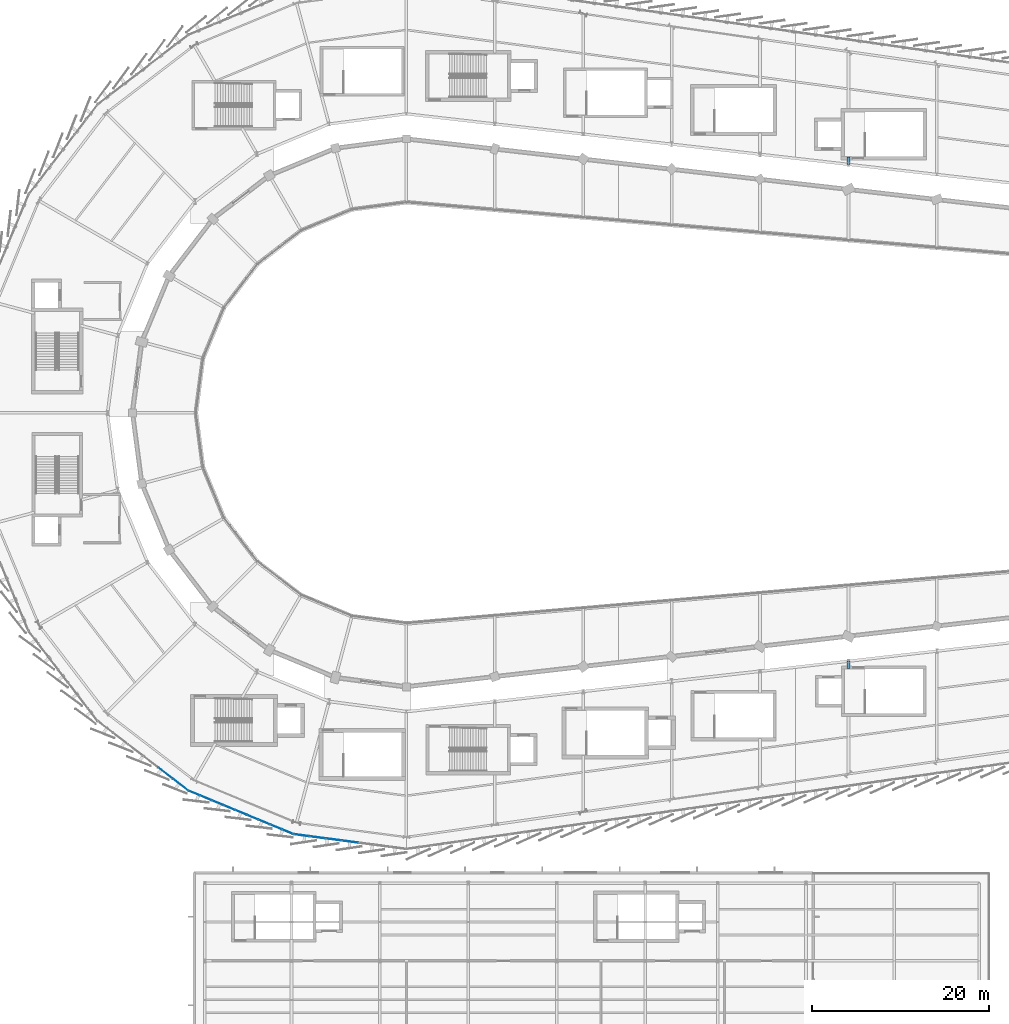
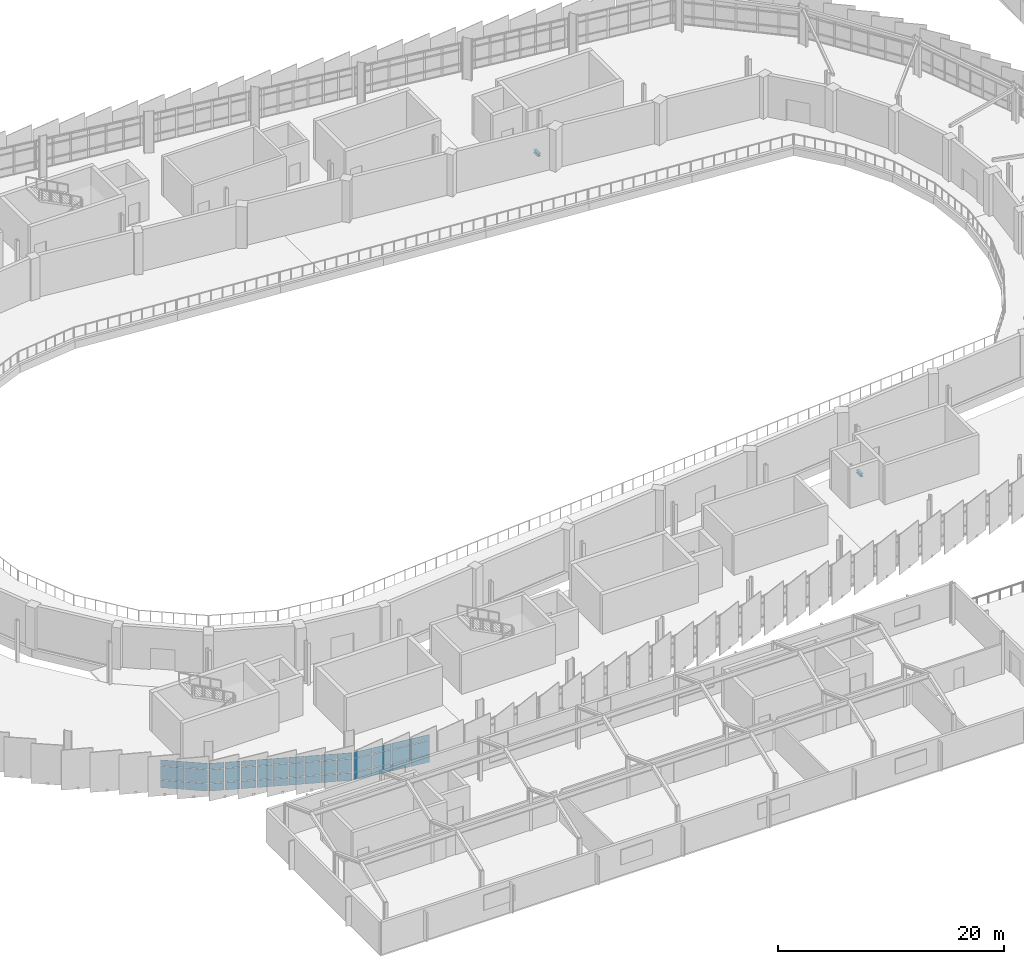
# One storey, part 58 of 87: 45 plates, 2 beams, 3 elements without a shape of their own.
"""IFC4 building model written with IfcOpenShell, lengths in metres."""

from ifc_helpers import new_model, si_unit, direction, frame, origin, origin_2d, place, context, subcontext, project, spatial, rectangle, i_section, extrude, material, layer, layer_set, material_profile, profile_set, type_object, element, aggregate, save


model = new_model("IFC4")

# Units and contexts
model_context = context("Model", 3, precision=1e-05, world=origin(), true_north=direction((0.0, 1.0)))
body_context = subcontext(model_context, "Body", "Model", "MODEL_VIEW")
ifc_project = project(units=[si_unit("LENGTHUNIT", "METRE"), si_unit("AREAUNIT", "SQUARE_METRE"), si_unit("VOLUMEUNIT", "CUBIC_METRE"), si_unit("PLANEANGLEUNIT", "RADIAN"), si_unit("MASSUNIT", "GRAM", prefix="KILO")], contexts=[model_context])

# Site, building, storey
site_placement = place(None, origin())
site = spatial("IfcSite", under=ifc_project, at=site_placement, CompositionType="ELEMENT")
building_placement = place(site_placement, origin())
building = spatial("IfcBuilding", under=site, at=building_placement, Name="Sohan Crest Arena", CompositionType="ELEMENT")
storey_placement = place(building_placement, frame((0.0, 0.0, 18.0)))
storey = spatial("IfcBuildingStorey", under=building, at=storey_placement, Name="L04", CompositionType="ELEMENT", Elevation=18.0)

# Beams
ifc_material_1 = material(Name="Steel S355", Category="steel")
ifc_material_profile = material_profile(ifc_material_1, i_section(OverallWidth=0.300048828125, OverallDepth=0.300048828125, WebThickness=0.010986328125, FlangeThickness=0.01904296875, at=origin_2d()), Name="HEB 300")
ifc_profile_set = profile_set([ifc_material_profile], Name="Steel S355")
beam_type = type_object("IfcBeamType", Name="STR-BM-B12", PredefinedType="BEAM", material=ifc_profile_set)
for number, where, z_axis, x_axis, name in (
    (1, (148.0, 49.9140625, -0.39990234375), (0.0, -1.0, 0.0), (1.0, 0.0, 0.0), "Structural beam G-L04-1624"),
    (2, (148.0, 106.0859375, -0.39990234375), (0.0, 1.0, 0.0), (-1.0, 0.0, 0.0), "Structural beam G-L04-1683"),
):
    element("IfcBeam", number, at=place(storey_placement, frame(where, z_axis=z_axis, x_axis=x_axis)), inside=storey, type_object=beam_type, Name=name, PredefinedType="BEAM", context=body_context, shape_type="SweptSolid", body=[
        extrude(i_section(OverallWidth=0.300048828125, OverallDepth=0.300048828125, WebThickness=0.010986328125, FlangeThickness=0.01904296875, at=origin_2d()), origin(), (0.0, 0.0, 1.0), 0.833984375),
    ])

# Curtain wall, plates
ifc_material_2 = material(Name="Thermally broken anodised aluminium", Category="aluminium")
ifc_layer_1 = layer(ifc_material_2, 0.239990234375, Name="Thermally broken anodised aluminium")
ifc_layer_set_1 = layer_set([ifc_layer_1], Name="Thermally broken anodised aluminium")
curtain_wall_type_1 = type_object("IfcCurtainWallType", Name="ARC-CW04", PredefinedType="NOTDEFINED", material=ifc_layer_set_1)
curtain_wall_1_placement = place(storey_placement, origin())
curtain_wall_1 = element("IfcCurtainWall", 3, at=curtain_wall_1_placement, inside=storey, type_object=curtain_wall_type_1, Name="Unitised curtain wall CW-121", PredefinedType="NOTDEFINED")
ifc_material_3 = material(Name="Low-E double-glazed insulated glass", Category="glass")
ifc_layer_2 = layer(ifc_material_3, 0.031982421875, Name="Low-E double-glazed insulated glass")
ifc_layer_set_2 = layer_set([ifc_layer_2], Name="Low-E double-glazed insulated glass")
plate_type_1 = type_object("IfcPlateType", Name="ARC-CNP02", PredefinedType="CURTAIN_PANEL", material=ifc_layer_set_2)
plate_1_placement = place(storey_placement, frame((70.769775390625, 37.222412109375, 0.06005859375), z_axis=(0.0, 0.0, 1.0), x_axis=(0.793385172815, -0.60871994181, 0.0)))
plate_1 = element("IfcPlate", 4, at=plate_1_placement, type_object=plate_type_1, Name="CW-121 panel 5.1", PredefinedType="CURTAIN_PANEL", context=body_context, shape_type="SweptSolid", body=[
    extrude(rectangle(XDim=2.08203125, YDim=0.031982421875, at=origin_2d()), origin(), (0.0, 0.0, 1.0), 0.81005859375),
])
plate_2_placement = place(storey_placement, frame((70.769775390625, 37.222412109375, 0.929931640625), z_axis=(0.0, 0.0, 1.0), x_axis=(0.793385172815, -0.60871994181, 0.0)))
plate_2 = element("IfcPlate", 5, at=plate_2_placement, type_object=plate_type_1, Name="CW-121 panel 5.2", PredefinedType="CURTAIN_PANEL", context=body_context, shape_type="SweptSolid", body=[
    extrude(rectangle(XDim=2.08203125, YDim=0.031982421875, at=origin_2d()), origin(), (0.0, 0.0, 1.0), 1.4599609375),
])
plate_3_placement = place(storey_placement, frame((70.769775390625, 37.222412109375, 2.44970703125), z_axis=(0.0, 0.0, 1.0), x_axis=(0.793385172815, -0.60871994181, 0.0)))
plate_3 = element("IfcPlate", 6, at=plate_3_placement, type_object=plate_type_1, Name="CW-121 panel 5.3", PredefinedType="CURTAIN_PANEL", context=body_context, shape_type="SweptSolid", body=[
    extrude(rectangle(XDim=2.08203125, YDim=0.031982421875, at=origin_2d()), origin(), (0.0, 0.0, 1.0), 0.610107421875),
])
plate_4_placement = place(storey_placement, frame((72.46044921875, 35.92529296875, 0.06005859375), z_axis=(0.0, 0.0, 1.0), x_axis=(0.793385172815, -0.60871994181, 0.0)))
plate_4 = element("IfcPlate", 7, at=plate_4_placement, type_object=plate_type_1, Name="CW-121 panel 6.1", PredefinedType="CURTAIN_PANEL", context=body_context, shape_type="SweptSolid", body=[
    extrude(rectangle(XDim=2.049560546875, YDim=0.031982421875, at=origin_2d()), origin(), (0.0, 0.0, 1.0), 0.81005859375),
])
plate_5_placement = place(storey_placement, frame((72.46044921875, 35.92529296875, 0.929931640625), z_axis=(0.0, 0.0, 1.0), x_axis=(0.793385172815, -0.60871994181, 0.0)))
plate_5 = element("IfcPlate", 8, at=plate_5_placement, type_object=plate_type_1, Name="CW-121 panel 6.2", PredefinedType="CURTAIN_PANEL", context=body_context, shape_type="SweptSolid", body=[
    extrude(rectangle(XDim=2.049560546875, YDim=0.031982421875, at=origin_2d()), origin(), (0.0, 0.0, 1.0), 1.4599609375),
])
plate_6_placement = place(storey_placement, frame((72.46044921875, 35.92529296875, 2.44970703125), z_axis=(0.0, 0.0, 1.0), x_axis=(0.793385172815, -0.60871994181, 0.0)))
plate_6 = element("IfcPlate", 9, at=plate_6_placement, type_object=plate_type_1, Name="CW-121 panel 6.3", PredefinedType="CURTAIN_PANEL", context=body_context, shape_type="SweptSolid", body=[
    extrude(rectangle(XDim=2.049560546875, YDim=0.031982421875, at=origin_2d()), origin(), (0.0, 0.0, 1.0), 0.610107421875),
])
aggregate(curtain_wall_1, [plate_1, plate_2, plate_3, plate_4, plate_5, plate_6])

ifc_layer_3 = layer(ifc_material_2, 0.18994140625, Name="Thermally broken anodised aluminium")
ifc_layer_set_3 = layer_set([ifc_layer_3], Name="Thermally broken anodised aluminium")
curtain_wall_type_2 = type_object("IfcCurtainWallType", Name="ARC-CW05", PredefinedType="NOTDEFINED", material=ifc_layer_set_3)
curtain_wall_2_placement = place(storey_placement, origin())
curtain_wall_2 = element("IfcCurtainWall", 10, at=curtain_wall_2_placement, inside=storey, type_object=curtain_wall_type_2, Name="Unitised curtain wall CW-122", PredefinedType="NOTDEFINED")
ifc_material_4 = material(Name="Ceramic-fritted solar-control insulated glass", Category="glass")
ifc_layer_4 = layer(ifc_material_4, 0.035888671875, Name="Ceramic-fritted solar-control insulated glass")
ifc_layer_set_4 = layer_set([ifc_layer_4], Name="Ceramic-fritted solar-control insulated glass")
plate_type_2 = type_object("IfcPlateType", Name="ARC-CNP03", PredefinedType="CURTAIN_PANEL", material=ifc_layer_set_4)
plate_7_placement = place(storey_placement, frame((74.00244140625, 34.9814453125, 0.06494140625), z_axis=(0.0, 0.0, 1.0), x_axis=(0.923878704229, -0.382685432009, 0.0)))
plate_7 = element("IfcPlate", 11, at=plate_7_placement, type_object=plate_type_2, Name="CW-122 panel 1.1", PredefinedType="CURTAIN_PANEL", context=body_context, shape_type="SweptSolid", body=[
    extrude(rectangle(XDim=1.326416015625, YDim=0.035888671875, at=origin_2d()), origin(), (0.0, 0.0, 1.0), 0.802490234375),
])
plate_8_placement = place(storey_placement, frame((74.00244140625, 34.9814453125, 0.932373046875), z_axis=(0.0, 0.0, 1.0), x_axis=(0.923878704229, -0.382685432009, 0.0)))
plate_8 = element("IfcPlate", 12, at=plate_8_placement, type_object=plate_type_2, Name="CW-122 panel 1.2", PredefinedType="CURTAIN_PANEL", context=body_context, shape_type="SweptSolid", body=[
    extrude(rectangle(XDim=1.326416015625, YDim=0.035888671875, at=origin_2d()), origin(), (0.0, 0.0, 1.0), 1.455078125),
])
plate_9_placement = place(storey_placement, frame((74.00244140625, 34.9814453125, 2.452392578125), z_axis=(0.0, 0.0, 1.0), x_axis=(0.923878704229, -0.382685432009, 0.0)))
plate_9 = element("IfcPlate", 13, at=plate_9_placement, type_object=plate_type_2, Name="CW-122 panel 1.3", PredefinedType="CURTAIN_PANEL", context=body_context, shape_type="SweptSolid", body=[
    extrude(rectangle(XDim=1.326416015625, YDim=0.035888671875, at=origin_2d()), origin(), (0.0, 0.0, 1.0), 0.6025390625),
])
plate_10_placement = place(storey_placement, frame((75.30859375, 34.4404296875, 0.06494140625), z_axis=(0.0, 0.0, 1.0), x_axis=(0.923878704229, -0.382685432009, 0.0)))
plate_10 = element("IfcPlate", 14, at=plate_10_placement, type_object=plate_type_2, Name="CW-122 panel 2.1", PredefinedType="CURTAIN_PANEL", context=body_context, shape_type="SweptSolid", body=[
    extrude(rectangle(XDim=1.361328125, YDim=0.035888671875, at=origin_2d()), origin(), (0.0, 0.0, 1.0), 0.802490234375),
])
plate_11_placement = place(storey_placement, frame((75.30859375, 34.4404296875, 0.932373046875), z_axis=(0.0, 0.0, 1.0), x_axis=(0.923878704229, -0.382685432009, 0.0)))
plate_11 = element("IfcPlate", 15, at=plate_11_placement, type_object=plate_type_2, Name="CW-122 panel 2.2", PredefinedType="CURTAIN_PANEL", context=body_context, shape_type="SweptSolid", body=[
    extrude(rectangle(XDim=1.361328125, YDim=0.035888671875, at=origin_2d()), origin(), (0.0, 0.0, 1.0), 1.455078125),
])
plate_12_placement = place(storey_placement, frame((75.30859375, 34.4404296875, 2.452392578125), z_axis=(0.0, 0.0, 1.0), x_axis=(0.923878704229, -0.382685432009, 0.0)))
plate_12 = element("IfcPlate", 16, at=plate_12_placement, type_object=plate_type_2, Name="CW-122 panel 2.3", PredefinedType="CURTAIN_PANEL", context=body_context, shape_type="SweptSolid", body=[
    extrude(rectangle(XDim=1.361328125, YDim=0.035888671875, at=origin_2d()), origin(), (0.0, 0.0, 1.0), 0.6025390625),
])
plate_13_placement = place(storey_placement, frame((76.631103515625, 33.892578125, 0.06494140625), z_axis=(0.0, 0.0, 1.0), x_axis=(0.923878704229, -0.382685432009, 0.0)))
plate_13 = element("IfcPlate", 17, at=plate_13_placement, type_object=plate_type_2, Name="CW-122 panel 3.1", PredefinedType="CURTAIN_PANEL", context=body_context, shape_type="SweptSolid", body=[
    extrude(rectangle(XDim=1.361328125, YDim=0.035888671875, at=origin_2d()), origin(), (0.0, 0.0, 1.0), 0.802490234375),
])
plate_14_placement = place(storey_placement, frame((76.631103515625, 33.892578125, 0.932373046875), z_axis=(0.0, 0.0, 1.0), x_axis=(0.923878704229, -0.382685432009, 0.0)))
plate_14 = element("IfcPlate", 18, at=plate_14_placement, type_object=plate_type_2, Name="CW-122 panel 3.2", PredefinedType="CURTAIN_PANEL", context=body_context, shape_type="SweptSolid", body=[
    extrude(rectangle(XDim=1.361328125, YDim=0.035888671875, at=origin_2d()), origin(), (0.0, 0.0, 1.0), 1.455078125),
])
plate_15_placement = place(storey_placement, frame((76.631103515625, 33.892578125, 2.452392578125), z_axis=(0.0, 0.0, 1.0), x_axis=(0.923878704229, -0.382685432009, 0.0)))
plate_15 = element("IfcPlate", 19, at=plate_15_placement, type_object=plate_type_2, Name="CW-122 panel 3.3", PredefinedType="CURTAIN_PANEL", context=body_context, shape_type="SweptSolid", body=[
    extrude(rectangle(XDim=1.361328125, YDim=0.035888671875, at=origin_2d()), origin(), (0.0, 0.0, 1.0), 0.6025390625),
])
plate_16_placement = place(storey_placement, frame((77.95361328125, 33.3447265625, 0.06494140625), z_axis=(0.0, 0.0, 1.0), x_axis=(0.923878704229, -0.382685432009, 0.0)))
plate_16 = element("IfcPlate", 20, at=plate_16_placement, type_object=plate_type_2, Name="CW-122 panel 4.1", PredefinedType="CURTAIN_PANEL", context=body_context, shape_type="SweptSolid", body=[
    extrude(rectangle(XDim=1.361328125, YDim=0.035888671875, at=origin_2d()), origin(), (0.0, 0.0, 1.0), 0.802490234375),
])
plate_17_placement = place(storey_placement, frame((77.95361328125, 33.3447265625, 0.932373046875), z_axis=(0.0, 0.0, 1.0), x_axis=(0.923878704229, -0.382685432009, 0.0)))
plate_17 = element("IfcPlate", 21, at=plate_17_placement, type_object=plate_type_2, Name="CW-122 panel 4.2", PredefinedType="CURTAIN_PANEL", context=body_context, shape_type="SweptSolid", body=[
    extrude(rectangle(XDim=1.361328125, YDim=0.035888671875, at=origin_2d()), origin(), (0.0, 0.0, 1.0), 1.455078125),
])
plate_18_placement = place(storey_placement, frame((77.95361328125, 33.3447265625, 2.452392578125), z_axis=(0.0, 0.0, 1.0), x_axis=(0.923878704229, -0.382685432009, 0.0)))
plate_18 = element("IfcPlate", 22, at=plate_18_placement, type_object=plate_type_2, Name="CW-122 panel 4.3", PredefinedType="CURTAIN_PANEL", context=body_context, shape_type="SweptSolid", body=[
    extrude(rectangle(XDim=1.361328125, YDim=0.035888671875, at=origin_2d()), origin(), (0.0, 0.0, 1.0), 0.6025390625),
])
plate_19_placement = place(storey_placement, frame((79.27587890625, 32.797119140625, 0.06494140625), z_axis=(0.0, 0.0, 1.0), x_axis=(0.923878704229, -0.382685432009, 0.0)))
plate_19 = element("IfcPlate", 23, at=plate_19_placement, type_object=plate_type_2, Name="CW-122 panel 5.1", PredefinedType="CURTAIN_PANEL", context=body_context, shape_type="SweptSolid", body=[
    extrude(rectangle(XDim=1.361328125, YDim=0.035888671875, at=origin_2d()), origin(), (0.0, 0.0, 1.0), 0.802490234375),
])
plate_20_placement = place(storey_placement, frame((79.27587890625, 32.797119140625, 0.932373046875), z_axis=(0.0, 0.0, 1.0), x_axis=(0.923878704229, -0.382685432009, 0.0)))
plate_20 = element("IfcPlate", 24, at=plate_20_placement, type_object=plate_type_2, Name="CW-122 panel 5.2", PredefinedType="CURTAIN_PANEL", context=body_context, shape_type="SweptSolid", body=[
    extrude(rectangle(XDim=1.361328125, YDim=0.035888671875, at=origin_2d()), origin(), (0.0, 0.0, 1.0), 1.455078125),
])
plate_21_placement = place(storey_placement, frame((79.27587890625, 32.797119140625, 2.452392578125), z_axis=(0.0, 0.0, 1.0), x_axis=(0.923878704229, -0.382685432009, 0.0)))
plate_21 = element("IfcPlate", 25, at=plate_21_placement, type_object=plate_type_2, Name="CW-122 panel 5.3", PredefinedType="CURTAIN_PANEL", context=body_context, shape_type="SweptSolid", body=[
    extrude(rectangle(XDim=1.361328125, YDim=0.035888671875, at=origin_2d()), origin(), (0.0, 0.0, 1.0), 0.6025390625),
])
plate_22_placement = place(storey_placement, frame((80.598388671875, 32.249267578125, 0.06494140625), z_axis=(0.0, 0.0, 1.0), x_axis=(0.923878704229, -0.382685432009, 0.0)))
plate_22 = element("IfcPlate", 26, at=plate_22_placement, type_object=plate_type_2, Name="CW-122 panel 6.1", PredefinedType="CURTAIN_PANEL", context=body_context, shape_type="SweptSolid", body=[
    extrude(rectangle(XDim=1.361328125, YDim=0.035888671875, at=origin_2d()), origin(), (0.0, 0.0, 1.0), 0.802490234375),
])
plate_23_placement = place(storey_placement, frame((80.598388671875, 32.249267578125, 0.932373046875), z_axis=(0.0, 0.0, 1.0), x_axis=(0.923878704229, -0.382685432009, 0.0)))
plate_23 = element("IfcPlate", 27, at=plate_23_placement, type_object=plate_type_2, Name="CW-122 panel 6.2", PredefinedType="CURTAIN_PANEL", context=body_context, shape_type="SweptSolid", body=[
    extrude(rectangle(XDim=1.361328125, YDim=0.035888671875, at=origin_2d()), origin(), (0.0, 0.0, 1.0), 1.455078125),
])
plate_24_placement = place(storey_placement, frame((80.598388671875, 32.249267578125, 2.452392578125), z_axis=(0.0, 0.0, 1.0), x_axis=(0.923878704229, -0.382685432009, 0.0)))
plate_24 = element("IfcPlate", 28, at=plate_24_placement, type_object=plate_type_2, Name="CW-122 panel 6.3", PredefinedType="CURTAIN_PANEL", context=body_context, shape_type="SweptSolid", body=[
    extrude(rectangle(XDim=1.361328125, YDim=0.035888671875, at=origin_2d()), origin(), (0.0, 0.0, 1.0), 0.6025390625),
])
plate_25_placement = place(storey_placement, frame((81.9208984375, 31.701416015625, 0.06494140625), z_axis=(0.0, 0.0, 1.0), x_axis=(0.923878704229, -0.382685432009, 0.0)))
plate_25 = element("IfcPlate", 29, at=plate_25_placement, type_object=plate_type_2, Name="CW-122 panel 7.1", PredefinedType="CURTAIN_PANEL", context=body_context, shape_type="SweptSolid", body=[
    extrude(rectangle(XDim=1.361328125, YDim=0.035888671875, at=origin_2d()), origin(), (0.0, 0.0, 1.0), 0.802490234375),
])
plate_26_placement = place(storey_placement, frame((81.9208984375, 31.701416015625, 0.932373046875), z_axis=(0.0, 0.0, 1.0), x_axis=(0.923878704229, -0.382685432009, 0.0)))
plate_26 = element("IfcPlate", 30, at=plate_26_placement, type_object=plate_type_2, Name="CW-122 panel 7.2", PredefinedType="CURTAIN_PANEL", context=body_context, shape_type="SweptSolid", body=[
    extrude(rectangle(XDim=1.361328125, YDim=0.035888671875, at=origin_2d()), origin(), (0.0, 0.0, 1.0), 1.455078125),
])
plate_27_placement = place(storey_placement, frame((81.9208984375, 31.701416015625, 2.452392578125), z_axis=(0.0, 0.0, 1.0), x_axis=(0.923878704229, -0.382685432009, 0.0)))
plate_27 = element("IfcPlate", 31, at=plate_27_placement, type_object=plate_type_2, Name="CW-122 panel 7.3", PredefinedType="CURTAIN_PANEL", context=body_context, shape_type="SweptSolid", body=[
    extrude(rectangle(XDim=1.361328125, YDim=0.035888671875, at=origin_2d()), origin(), (0.0, 0.0, 1.0), 0.6025390625),
])
plate_28_placement = place(storey_placement, frame((83.243408203125, 31.153564453125, 0.06494140625), z_axis=(0.0, 0.0, 1.0), x_axis=(0.923878704229, -0.382685432009, 0.0)))
plate_28 = element("IfcPlate", 32, at=plate_28_placement, type_object=plate_type_2, Name="CW-122 panel 8.1", PredefinedType="CURTAIN_PANEL", context=body_context, shape_type="SweptSolid", body=[
    extrude(rectangle(XDim=1.361328125, YDim=0.035888671875, at=origin_2d()), origin(), (0.0, 0.0, 1.0), 0.802490234375),
])
plate_29_placement = place(storey_placement, frame((83.243408203125, 31.153564453125, 0.932373046875), z_axis=(0.0, 0.0, 1.0), x_axis=(0.923878704229, -0.382685432009, 0.0)))
plate_29 = element("IfcPlate", 33, at=plate_29_placement, type_object=plate_type_2, Name="CW-122 panel 8.2", PredefinedType="CURTAIN_PANEL", context=body_context, shape_type="SweptSolid", body=[
    extrude(rectangle(XDim=1.361328125, YDim=0.035888671875, at=origin_2d()), origin(), (0.0, 0.0, 1.0), 1.455078125),
])
plate_30_placement = place(storey_placement, frame((83.243408203125, 31.153564453125, 2.452392578125), z_axis=(0.0, 0.0, 1.0), x_axis=(0.923878704229, -0.382685432009, 0.0)))
plate_30 = element("IfcPlate", 34, at=plate_30_placement, type_object=plate_type_2, Name="CW-122 panel 8.3", PredefinedType="CURTAIN_PANEL", context=body_context, shape_type="SweptSolid", body=[
    extrude(rectangle(XDim=1.361328125, YDim=0.035888671875, at=origin_2d()), origin(), (0.0, 0.0, 1.0), 0.6025390625),
])
plate_31_placement = place(storey_placement, frame((84.549560546875, 30.612548828125, 0.06494140625), z_axis=(0.0, 0.0, 1.0), x_axis=(0.923878704229, -0.382685432009, 0.0)))
plate_31 = element("IfcPlate", 35, at=plate_31_placement, type_object=plate_type_2, Name="CW-122 panel 9.1", PredefinedType="CURTAIN_PANEL", context=body_context, shape_type="SweptSolid", body=[
    extrude(rectangle(XDim=1.326416015625, YDim=0.035888671875, at=origin_2d()), origin(), (0.0, 0.0, 1.0), 0.802490234375),
])
plate_32_placement = place(storey_placement, frame((84.549560546875, 30.612548828125, 0.932373046875), z_axis=(0.0, 0.0, 1.0), x_axis=(0.923878704229, -0.382685432009, 0.0)))
plate_32 = element("IfcPlate", 36, at=plate_32_placement, type_object=plate_type_2, Name="CW-122 panel 9.2", PredefinedType="CURTAIN_PANEL", context=body_context, shape_type="SweptSolid", body=[
    extrude(rectangle(XDim=1.326416015625, YDim=0.035888671875, at=origin_2d()), origin(), (0.0, 0.0, 1.0), 1.455078125),
])
plate_33_placement = place(storey_placement, frame((84.549560546875, 30.612548828125, 2.452392578125), z_axis=(0.0, 0.0, 1.0), x_axis=(0.923878704229, -0.382685432009, 0.0)))
plate_33 = element("IfcPlate", 37, at=plate_33_placement, type_object=plate_type_2, Name="CW-122 panel 9.3", PredefinedType="CURTAIN_PANEL", context=body_context, shape_type="SweptSolid", body=[
    extrude(rectangle(XDim=1.326416015625, YDim=0.035888671875, at=origin_2d()), origin(), (0.0, 0.0, 1.0), 0.6025390625),
])
aggregate(curtain_wall_2, [plate_7, plate_8, plate_9, plate_10, plate_11, plate_12, plate_13, plate_14, plate_15, plate_16, plate_17, plate_18, plate_19, plate_20, plate_21, plate_22, plate_23, plate_24, plate_25, plate_26, plate_27, plate_28, plate_29, plate_30, plate_31, plate_32, plate_33])

ifc_layer_5 = layer(ifc_material_2, 0.2099609375, Name="Thermally broken anodised aluminium")
ifc_layer_set_5 = layer_set([ifc_layer_5], Name="Thermally broken anodised aluminium")
curtain_wall_type_3 = type_object("IfcCurtainWallType", Name="ARC-CW06", PredefinedType="NOTDEFINED", material=ifc_layer_set_5)
curtain_wall_3_placement = place(storey_placement, origin())
curtain_wall_3 = element("IfcCurtainWall", 38, at=curtain_wall_3_placement, inside=storey, type_object=curtain_wall_type_3, Name="Unitised curtain wall CW-123", PredefinedType="NOTDEFINED")
ifc_material_5 = material(Name="Insulated polychrome ceramic spandrel panel", Category="masonry")
ifc_layer_6 = layer(ifc_material_5, 0.0419921875, Name="Insulated polychrome ceramic spandrel panel")
ifc_layer_set_6 = layer_set([ifc_layer_6], Name="Insulated polychrome ceramic spandrel panel")
plate_type_3 = type_object("IfcPlateType", Name="ARC-CNP04", PredefinedType="CURTAIN_PANEL", material=ifc_layer_set_6)
plate_34_placement = place(storey_placement, frame((86.157958984375, 30.20947265625, 0.070068359375), z_axis=(0.0, 0.0, 1.0), x_axis=(0.991440816386, -0.130556913275, 0.0)))
plate_34 = element("IfcPlate", 39, at=plate_34_placement, type_object=plate_type_3, Name="CW-123 panel 1.1", PredefinedType="CURTAIN_PANEL", context=body_context, shape_type="SweptSolid", body=[
    extrude(rectangle(XDim=1.72802734375, YDim=0.0419921875, at=origin_2d()), origin(), (0.0, 0.0, 1.0), 0.794921875),
])
plate_35_placement = place(storey_placement, frame((86.157958984375, 30.20947265625, 0.93505859375), z_axis=(0.0, 0.0, 1.0), x_axis=(0.991440816386, -0.130556913275, 0.0)))
plate_35 = element("IfcPlate", 40, at=plate_35_placement, type_object=plate_type_3, Name="CW-123 panel 1.2", PredefinedType="CURTAIN_PANEL", context=body_context, shape_type="SweptSolid", body=[
    extrude(rectangle(XDim=1.72802734375, YDim=0.0419921875, at=origin_2d()), origin(), (0.0, 0.0, 1.0), 1.449951171875),
])
plate_36_placement = place(storey_placement, frame((86.157958984375, 30.20947265625, 2.455078125), z_axis=(0.0, 0.0, 1.0), x_axis=(0.991440816386, -0.130556913275, 0.0)))
plate_36 = element("IfcPlate", 41, at=plate_36_placement, type_object=plate_type_3, Name="CW-123 panel 1.3", PredefinedType="CURTAIN_PANEL", context=body_context, shape_type="SweptSolid", body=[
    extrude(rectangle(XDim=1.72802734375, YDim=0.0419921875, at=origin_2d()), origin(), (0.0, 0.0, 1.0), 0.594970703125),
])
plate_37_placement = place(storey_placement, frame((87.964111328125, 29.9716796875, 0.070068359375), z_axis=(0.0, 0.0, 1.0), x_axis=(0.991440816386, -0.130556913275, 0.0)))
plate_37 = element("IfcPlate", 42, at=plate_37_placement, type_object=plate_type_3, Name="CW-123 panel 2.1", PredefinedType="CURTAIN_PANEL", context=body_context, shape_type="SweptSolid", body=[
    extrude(rectangle(XDim=1.765380859375, YDim=0.0419921875, at=origin_2d()), origin(), (0.0, 0.0, 1.0), 0.794921875),
])
plate_38_placement = place(storey_placement, frame((87.964111328125, 29.9716796875, 0.93505859375), z_axis=(0.0, 0.0, 1.0), x_axis=(0.991440816386, -0.130556913275, 0.0)))
plate_38 = element("IfcPlate", 43, at=plate_38_placement, type_object=plate_type_3, Name="CW-123 panel 2.2", PredefinedType="CURTAIN_PANEL", context=body_context, shape_type="SweptSolid", body=[
    extrude(rectangle(XDim=1.765380859375, YDim=0.0419921875, at=origin_2d()), origin(), (0.0, 0.0, 1.0), 1.449951171875),
])
plate_39_placement = place(storey_placement, frame((87.964111328125, 29.9716796875, 2.455078125), z_axis=(0.0, 0.0, 1.0), x_axis=(0.991440816386, -0.130556913275, 0.0)))
plate_39 = element("IfcPlate", 44, at=plate_39_placement, type_object=plate_type_3, Name="CW-123 panel 2.3", PredefinedType="CURTAIN_PANEL", context=body_context, shape_type="SweptSolid", body=[
    extrude(rectangle(XDim=1.765380859375, YDim=0.0419921875, at=origin_2d()), origin(), (0.0, 0.0, 1.0), 0.594970703125),
])
plate_40_placement = place(storey_placement, frame((89.788818359375, 29.731201171875, 0.070068359375), z_axis=(0.0, 0.0, 1.0), x_axis=(0.991440816386, -0.130556913275, 0.0)))
plate_40 = element("IfcPlate", 45, at=plate_40_placement, type_object=plate_type_3, Name="CW-123 panel 3.1", PredefinedType="CURTAIN_PANEL", context=body_context, shape_type="SweptSolid", body=[
    extrude(rectangle(XDim=1.765380859375, YDim=0.0419921875, at=origin_2d()), origin(), (0.0, 0.0, 1.0), 0.794921875),
])
plate_41_placement = place(storey_placement, frame((89.788818359375, 29.731201171875, 0.93505859375), z_axis=(0.0, 0.0, 1.0), x_axis=(0.991440816386, -0.130556913275, 0.0)))
plate_41 = element("IfcPlate", 46, at=plate_41_placement, type_object=plate_type_3, Name="CW-123 panel 3.2", PredefinedType="CURTAIN_PANEL", context=body_context, shape_type="SweptSolid", body=[
    extrude(rectangle(XDim=1.765380859375, YDim=0.0419921875, at=origin_2d()), origin(), (0.0, 0.0, 1.0), 1.449951171875),
])
plate_42_placement = place(storey_placement, frame((89.788818359375, 29.731201171875, 2.455078125), z_axis=(0.0, 0.0, 1.0), x_axis=(0.991440816386, -0.130556913275, 0.0)))
plate_42 = element("IfcPlate", 47, at=plate_42_placement, type_object=plate_type_3, Name="CW-123 panel 3.3", PredefinedType="CURTAIN_PANEL", context=body_context, shape_type="SweptSolid", body=[
    extrude(rectangle(XDim=1.765380859375, YDim=0.0419921875, at=origin_2d()), origin(), (0.0, 0.0, 1.0), 0.594970703125),
])
plate_43_placement = place(storey_placement, frame((91.613525390625, 29.490966796875, 0.070068359375), z_axis=(0.0, 0.0, 1.0), x_axis=(0.991440816386, -0.130556913275, 0.0)))
plate_43 = element("IfcPlate", 48, at=plate_43_placement, type_object=plate_type_3, Name="CW-123 panel 4.1", PredefinedType="CURTAIN_PANEL", context=body_context, shape_type="SweptSolid", body=[
    extrude(rectangle(XDim=1.765380859375, YDim=0.0419921875, at=origin_2d()), origin(), (0.0, 0.0, 1.0), 0.794921875),
])
plate_44_placement = place(storey_placement, frame((91.613525390625, 29.490966796875, 0.93505859375), z_axis=(0.0, 0.0, 1.0), x_axis=(0.991440816386, -0.130556913275, 0.0)))
plate_44 = element("IfcPlate", 49, at=plate_44_placement, type_object=plate_type_3, Name="CW-123 panel 4.2", PredefinedType="CURTAIN_PANEL", context=body_context, shape_type="SweptSolid", body=[
    extrude(rectangle(XDim=1.765380859375, YDim=0.0419921875, at=origin_2d()), origin(), (0.0, 0.0, 1.0), 1.449951171875),
])
plate_45_placement = place(storey_placement, frame((91.613525390625, 29.490966796875, 2.455078125), z_axis=(0.0, 0.0, 1.0), x_axis=(0.991440816386, -0.130556913275, 0.0)))
plate_45 = element("IfcPlate", 50, at=plate_45_placement, type_object=plate_type_3, Name="CW-123 panel 4.3", PredefinedType="CURTAIN_PANEL", context=body_context, shape_type="SweptSolid", body=[
    extrude(rectangle(XDim=1.765380859375, YDim=0.0419921875, at=origin_2d()), origin(), (0.0, 0.0, 1.0), 0.594970703125),
])
aggregate(curtain_wall_3, [plate_34, plate_35, plate_36, plate_37, plate_38, plate_39, plate_40, plate_41, plate_42, plate_43, plate_44, plate_45])

save(model, "model.ifc")
